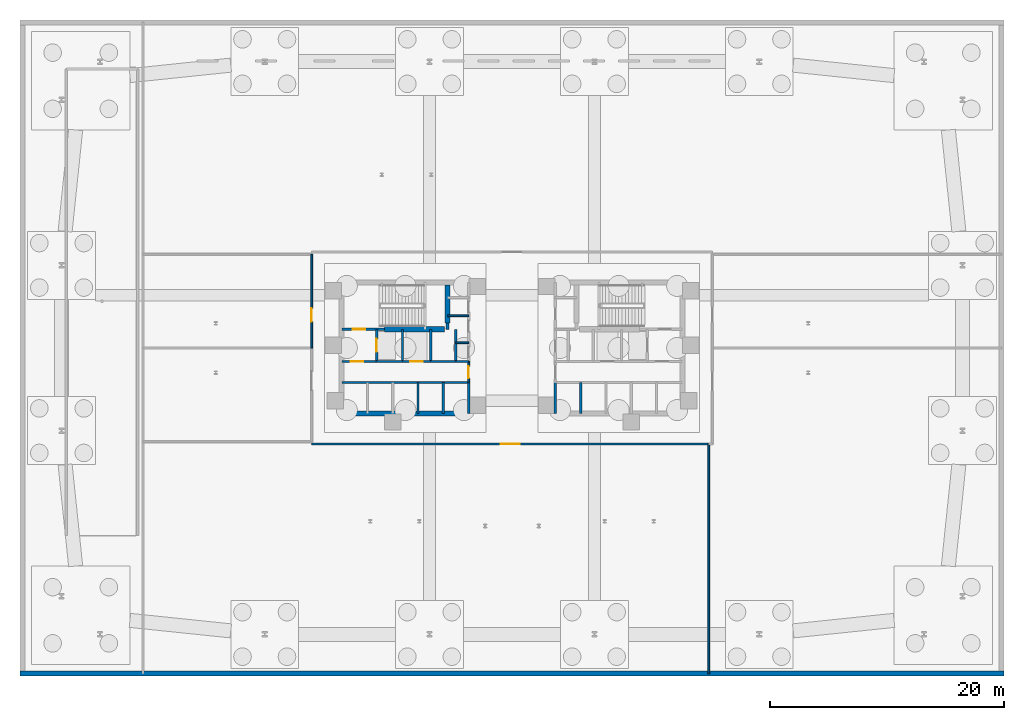
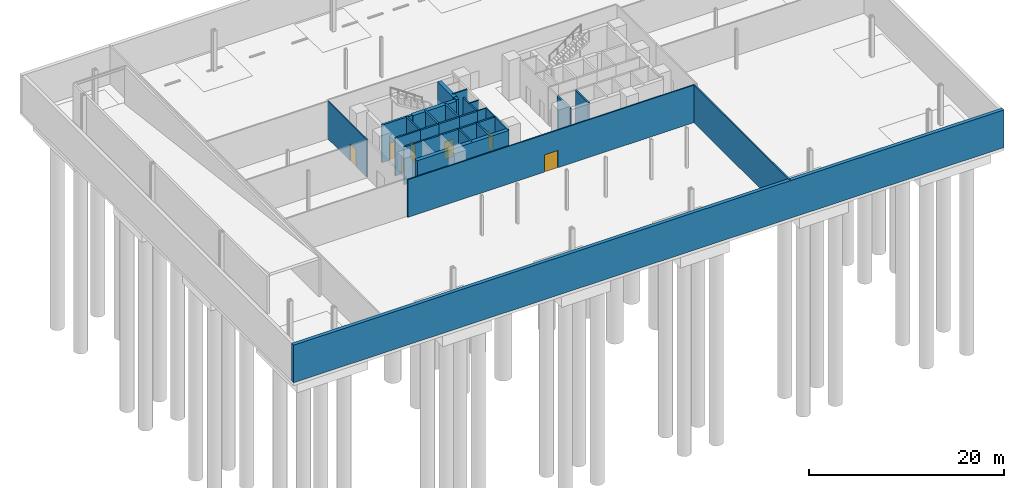
# One storey, part 11 of 16: 27 walls, 7 doors, 7 openings.
"""IFC4 building model written with IfcOpenShell, lengths in metres."""

from ifc_helpers import new_model, si_unit, direction, frame, frame_2d, origin, place, context, subcontext, project, spatial, rectangle, extrude, material, layer, layer_set, type_object, element, fill, save


model = new_model("IFC4")

# Units and contexts
model_context = context("Model", 3, precision=1e-05, world=origin(), true_north=direction((0.0, 1.0)))
body_context = subcontext(model_context, "Body", "Model", "MODEL_VIEW")
ifc_project = project(units=[si_unit("LENGTHUNIT", "METRE"), si_unit("AREAUNIT", "SQUARE_METRE"), si_unit("VOLUMEUNIT", "CUBIC_METRE"), si_unit("PLANEANGLEUNIT", "RADIAN"), si_unit("MASSUNIT", "GRAM", prefix="KILO")], contexts=[model_context])

# Site, building, storey
site_placement = place(None, origin())
site = spatial("IfcSite", under=ifc_project, at=site_placement, CompositionType="ELEMENT")
building_placement = place(site_placement, origin())
building = spatial("IfcBuilding", under=site, at=building_placement, Name="Menara Jurai Vektor", CompositionType="ELEMENT")
storey_placement = place(building_placement, frame((0.0, 0.0, -5.0)))
storey = spatial("IfcBuildingStorey", under=building, at=storey_placement, Name="B1", CompositionType="ELEMENT", Elevation=-5.0)

# Wall, opening, door
ifc_material_1 = material(Name="Concrete C40/50", Category="concrete")
ifc_layer_1 = layer(ifc_material_1, 0.25)
ifc_layer_set_1 = layer_set([ifc_layer_1], Name="Concrete C40/50")
wall_type_1 = type_object("IfcWallType", Name="INT-WALL-CORE-250", PredefinedType="STANDARD", material=ifc_layer_set_1)
wall_1_placement = place(storey_placement, frame((-14.5, 1.60009765625, 0.0), z_axis=(0.0, 0.0, 1.0), x_axis=(1.0, 0.0, 0.0)))
wall_1 = element("IfcWall", 1, at=wall_1_placement, inside=storey, type_object=wall_type_1, Name="Interior Wall IW-250 B1", PredefinedType="STANDARD", context=body_context, shape_type="SweptSolid", body=[
    extrude(rectangle(XDim=3.60009765625, YDim=0.25, at=frame_2d((1.800048828125, 0.0))), origin(), (0.0, 0.0, 1.0), 4.699951171875),
])
opening_1_placement = place(wall_1_placement, frame((0.919921875, 0.0, 0.0)))
opening_1 = element("IfcOpeningElement", 2, at=opening_1_placement, cuts=wall_1, Name="Opening D-B1-ST1", PredefinedType="OPENING", context=body_context, shape_type="SweptSolid", body=[
    extrude(rectangle(XDim=1.050048828125, YDim=2.14990234375, at=frame_2d((0.52490234375, 1.074951171875))), frame((0.0, 0.135009765625, 0.0), z_axis=(0.0, -1.0, 0.0), x_axis=(1.0, 0.0, 0.0)), (0.0, 0.0, 1.0), 0.27001953125),
])
ifc_material_2 = material(Name="Fire-Rated Steel Door", Category="steel")
door_type_1 = type_object("IfcDoorType", Name="DR-STAIR-1050", OperationType="NOTDEFINED", PredefinedType="DOOR", material=ifc_material_2)
door_1_placement = place(opening_1_placement, origin())
door_1 = element("IfcDoor", 3, at=door_1_placement, inside=storey, type_object=door_type_1, Name="Exit Stair ST1 Door B1", OperationType="SINGLE_SWING_RIGHT", OverallHeight=2.14990234375, OverallWidth=1.050048828125, PredefinedType="DOOR", context=body_context, shape_type="SweptSolid", body=[
    extrude(rectangle(XDim=1.050048828125, YDim=2.14990234375, at=frame_2d((0.52490234375, 1.074951171875))), frame((0.0, 0.02490234375, 0.0), z_axis=(0.0, -1.0, 0.0), x_axis=(1.0, 0.0, 0.0)), (0.0, 0.0, 1.0), 0.050048828125),
])
fill(opening_1, door_1)

# Wall
wall_2_placement = place(storey_placement, frame((-5.5, 1.60009765625, 0.0), z_axis=(0.0, 0.0, 1.0), x_axis=(0.0, 1.0, 0.0)))
element("IfcWall", 4, at=wall_2_placement, inside=storey, type_object=wall_type_1, Name="Interior Wall IW-250 B1", PredefinedType="STANDARD", context=body_context, shape_type="SweptSolid", body=[
    extrude(rectangle(XDim=0.5498046875, YDim=0.25, at=frame_2d((0.27490234375, 0.0))), origin(), (0.0, 0.0, 1.0), 4.699951171875),
])

# Wall, opening, door
wall_3_placement = place(storey_placement, frame((-11.550048828125, -1.14990234375, 0.0), z_axis=(0.0, 0.0, 1.0), x_axis=(0.0, 1.0, 0.0)))
wall_3 = element("IfcWall", 5, at=wall_3_placement, inside=storey, type_object=wall_type_1, Name="Interior Wall IW-250 B1", PredefinedType="STANDARD", context=body_context, shape_type="SweptSolid", body=[
    extrude(rectangle(XDim=2.75, YDim=0.199951171875, at=frame_2d((1.375, 0.0))), origin(), (0.0, 0.0, 1.0), 4.699951171875),
])
opening_2_placement = place(wall_3_placement, frame((0.824951171875, 0.0, 0.0)))
opening_2 = element("IfcOpeningElement", 6, at=opening_2_placement, cuts=wall_3, Name="Opening LD-B1-FL1", PredefinedType="OPENING", context=body_context, shape_type="SweptSolid", body=[
    extrude(rectangle(XDim=1.10009765625, YDim=2.14990234375, at=frame_2d((0.550048828125, 1.074951171875))), frame((0.0, 0.10986328125, 0.0), z_axis=(0.0, -1.0, 0.0), x_axis=(1.0, 0.0, 0.0)), (0.0, 0.0, 1.0), 0.219970703125),
])
ifc_material_3 = material(Name="Stainless Steel Sliding Lift Landing Door", Category="steel")
door_type_2 = type_object("IfcDoorType", Name="DR-LIFT-FIRE-1100", OperationType="NOTDEFINED", PredefinedType="DOOR", material=ifc_material_3)
door_2_placement = place(opening_2_placement, origin())
door_2 = element("IfcDoor", 7, at=door_2_placement, inside=storey, type_object=door_type_2, Name="Lift Landing Door FL1 B1", OperationType="SLIDING_TO_RIGHT", OverallHeight=2.14990234375, OverallWidth=1.10009765625, PredefinedType="DOOR", context=body_context, shape_type="SweptSolid", body=[
    extrude(rectangle(XDim=1.10009765625, YDim=2.14990234375, at=frame_2d((0.550048828125, 1.074951171875))), frame((0.0, 0.02490234375, 0.0), z_axis=(0.0, -1.0, 0.0), x_axis=(1.0, 0.0, 0.0)), (0.0, 0.0, 1.0), 0.050048828125),
])
fill(opening_2, door_2)

# Wall
wall_4_placement = place(storey_placement, frame((-9.35009765625, -1.14990234375, 0.0), z_axis=(0.0, 0.0, 1.0), x_axis=(0.0, 1.0, 0.0)))
element("IfcWall", 8, at=wall_4_placement, inside=storey, type_object=wall_type_1, Name="Interior Wall IW-250 B1", PredefinedType="STANDARD", context=body_context, shape_type="SweptSolid", body=[
    extrude(rectangle(XDim=2.75, YDim=0.199951171875, at=frame_2d((1.375, 0.0))), origin(), (0.0, 0.0, 1.0), 4.699951171875),
])

# Wall, opening, door
wall_5_placement = place(storey_placement, frame((-14.5, -1.14990234375, 0.0), z_axis=(0.0, 0.0, 1.0), x_axis=(1.0, 0.0, 0.0)))
wall_5 = element("IfcWall", 9, at=wall_5_placement, inside=storey, type_object=wall_type_1, Name="Interior Wall IW-250 B1", PredefinedType="STANDARD", context=body_context, shape_type="SweptSolid", body=[
    extrude(rectangle(XDim=2.949951171875, YDim=0.199951171875, at=frame_2d((1.47509765625, 0.0))), origin(), (0.0, 0.0, 1.0), 4.699951171875),
])
opening_3_placement = place(wall_5_placement, frame((0.75, 0.0, 0.0)))
opening_3 = element("IfcOpeningElement", 10, at=opening_3_placement, cuts=wall_5, Name="Opening D-B1-FFW", PredefinedType="OPENING", context=body_context, shape_type="SweptSolid", body=[
    extrude(rectangle(XDim=1.050048828125, YDim=2.179931640625, at=frame_2d((0.52490234375, 1.08984375))), frame((0.0, 0.10986328125, 0.0), z_axis=(0.0, -1.0, 0.0), x_axis=(1.0, 0.0, 0.0)), (0.0, 0.0, 1.0), 0.219970703125),
])
ifc_material_4 = material(Name="Fire-Rated Timber Door", Category="wood")
door_type_3 = type_object("IfcDoorType", Name="DR-LOBBY-1050", OperationType="NOTDEFINED", PredefinedType="DOOR", material=ifc_material_4)
door_3_placement = place(opening_3_placement, origin())
door_3 = element("IfcDoor", 11, at=door_3_placement, inside=storey, type_object=door_type_3, Name="Fire Lift Lobby Door W B1", OperationType="SINGLE_SWING_RIGHT", OverallHeight=2.179931640625, OverallWidth=1.050048828125, PredefinedType="DOOR", context=body_context, shape_type="SweptSolid", body=[
    extrude(rectangle(XDim=1.050048828125, YDim=2.179931640625, at=frame_2d((0.52490234375, 1.08984375))), frame((0.0, 0.02490234375, 0.0), z_axis=(0.0, -1.0, 0.0), x_axis=(1.0, 0.0, 0.0)), (0.0, 0.0, 1.0), 0.050048828125),
])
fill(opening_3, door_3)

# Wall
wall_6_placement = place(storey_placement, frame((-11.550048828125, -1.14990234375, 0.0), z_axis=(0.0, 0.0, 1.0), x_axis=(1.0, 0.0, 0.0)))
element("IfcWall", 12, at=wall_6_placement, inside=storey, type_object=wall_type_1, Name="Interior Wall IW-250 B1", PredefinedType="STANDARD", context=body_context, shape_type="SweptSolid", body=[
    extrude(rectangle(XDim=2.199951171875, YDim=0.199951171875, at=frame_2d((1.10009765625, 0.0))), origin(), (0.0, 0.0, 1.0), 4.699951171875),
])

# Wall, opening, door
ifc_material_5 = material(Name="Gypsum Fireboard Partition", Category="gypsum")
ifc_layer_2 = layer(ifc_material_5, 0.14990234375)
ifc_layer_set_2 = layer_set([ifc_layer_2], Name="Gypsum Fireboard Partition")
wall_type_2 = type_object("IfcWallType", Name="INT-WALL-CORR-150", PredefinedType="PARTITIONING", material=ifc_layer_set_2)
wall_7_placement = place(storey_placement, frame((-3.699951171875, -2.949951171875, 0.0), z_axis=(0.0, 0.0, 1.0), x_axis=(0.0, 1.0, 0.0)))
wall_7 = element("IfcWall", 13, at=wall_7_placement, inside=storey, type_object=wall_type_2, Name="Interior Wall IW-150 B1", PredefinedType="PARTITIONING", context=body_context, shape_type="SweptSolid", body=[
    extrude(rectangle(XDim=1.800048828125, YDim=0.14990234375, at=frame_2d((0.89990234375, 0.0))), origin(), (0.0, 0.0, 1.0), 4.699951171875),
])
opening_4_placement = place(wall_7_placement, frame((0.35009765625, 0.0, 0.0)))
opening_4 = element("IfcOpeningElement", 14, at=opening_4_placement, cuts=wall_7, Name="Opening D-B1-LLW", PredefinedType="OPENING", context=body_context, shape_type="SweptSolid", body=[
    extrude(rectangle(XDim=1.050048828125, YDim=2.179931640625, at=frame_2d((0.52490234375, 1.08984375))), frame((0.0, 0.0849609375, 0.0), z_axis=(0.0, -1.0, 0.0), x_axis=(1.0, 0.0, 0.0)), (0.0, 0.0, 1.0), 0.169921875),
])
door_4_placement = place(opening_4_placement, origin())
door_4 = element("IfcDoor", 15, at=door_4_placement, inside=storey, type_object=door_type_3, Name="Lift Lobby Corridor Door W B1", OperationType="SINGLE_SWING_LEFT", OverallHeight=2.179931640625, OverallWidth=1.050048828125, PredefinedType="DOOR", context=body_context, shape_type="SweptSolid", body=[
    extrude(rectangle(XDim=1.050048828125, YDim=2.179931640625, at=frame_2d((0.52490234375, 1.08984375))), frame((0.0, 0.02490234375, 0.0), z_axis=(0.0, -1.0, 0.0), x_axis=(1.0, 0.0, 0.0)), (0.0, 0.0, 1.0), 0.050048828125),
])
fill(opening_4, door_4)

# Walls
for number, where, z_axis, x_axis, name in (
    (16, (-4.7900390625, -1.14990234375, 0.0), (0.0, 0.0, 1.0), (1.0, 0.0, 0.0), "Interior Wall IW-150 B1"),
    (17, (-4.7900390625, 0.449951171875, 0.0), (0.0, 0.0, 1.0), (1.0, 0.0, 0.0), "Interior Wall IW-150 B1"),
):
    element("IfcWall", number, at=place(storey_placement, frame(where, z_axis=z_axis, x_axis=x_axis)), inside=storey, type_object=wall_type_2, Name=name, PredefinedType="PARTITIONING", context=body_context, shape_type="SweptSolid", body=[
        extrude(rectangle(XDim=1.090087890625, YDim=0.14990234375, at=frame_2d((0.544921875, 0.0))), origin(), (0.0, 0.0, 1.0), 4.699951171875),
    ])
wall_8_placement = place(storey_placement, frame((-5.5, 2.75, 0.0), z_axis=(0.0, 0.0, 1.0), x_axis=(1.0, 0.0, 0.0)))
element("IfcWall", 18, at=wall_8_placement, inside=storey, type_object=wall_type_2, Name="Interior Wall IW-150 B1", PredefinedType="PARTITIONING", context=body_context, shape_type="SweptSolid", body=[
    extrude(rectangle(XDim=1.800048828125, YDim=0.14990234375, at=frame_2d((0.89990234375, 0.0))), origin(), (0.0, 0.0, 1.0), 4.699951171875),
])

# Wall, opening, door
wall_9_placement = place(storey_placement, frame((-17.10009765625, -8.199951171875, 0.0), z_axis=(0.0, 0.0, 1.0), x_axis=(1.0, 0.0, 0.0)))
wall_9 = element("IfcWall", 19, at=wall_9_placement, inside=storey, type_object=wall_type_2, Name="Interior Wall IW-150 B1", PredefinedType="PARTITIONING", context=body_context, shape_type="SweptSolid", body=[
    extrude(rectangle(XDim=33.900146484375, YDim=0.14990234375, at=frame_2d((16.9501953125, 0.0))), origin(), (0.0, 0.0, 1.0), 4.699951171875),
])
opening_5_placement = place(wall_9_placement, frame((16.14990234375, 0.0, 0.0)))
opening_5 = element("IfcOpeningElement", 20, at=opening_5_placement, cuts=wall_9, Name="Opening DB1-07", PredefinedType="OPENING", context=body_context, shape_type="SweptSolid", body=[
    extrude(rectangle(XDim=1.60009765625, YDim=2.14990234375, at=frame_2d((0.800048828125, 1.074951171875))), frame((0.0, 0.0849609375, 0.0), z_axis=(0.0, -1.0, 0.0), x_axis=(1.0, 0.0, 0.0)), (0.0, 0.0, 1.0), 0.169921875),
])
ifc_material_6 = material(Name="Fire-Rated Double Steel Door", Category="steel")
door_type_4 = type_object("IfcDoorType", Name="DR-PLANT-DBL-1600", OperationType="NOTDEFINED", PredefinedType="DOOR", material=ifc_material_6)
door_5_placement = place(opening_5_placement, origin())
door_5 = element("IfcDoor", 21, at=door_5_placement, inside=storey, type_object=door_type_4, Name="Interior Door DB1-07", OperationType="DOUBLE_DOOR_SINGLE_SWING", OverallHeight=2.14990234375, OverallWidth=1.60009765625, PredefinedType="DOOR", context=body_context, shape_type="SweptSolid", body=[
    extrude(rectangle(XDim=1.60009765625, YDim=2.14990234375, at=frame_2d((0.800048828125, 1.074951171875))), frame((0.0, 0.02490234375, 0.0), z_axis=(0.0, -1.0, 0.0), x_axis=(1.0, 0.0, 0.0)), (0.0, 0.0, 1.0), 0.050048828125),
])
fill(opening_5, door_5)

wall_10_placement = place(storey_placement, frame((-17.10009765625, 0.0, 0.0), z_axis=(0.0, 0.0, 1.0), x_axis=(0.0, 1.0, 0.0)))
wall_10 = element("IfcWall", 22, at=wall_10_placement, inside=storey, type_object=wall_type_2, Name="Interior Wall IW-150 B1", PredefinedType="PARTITIONING", context=body_context, shape_type="SweptSolid", body=[
    extrude(rectangle(XDim=8.0, YDim=0.14990234375, at=frame_2d((4.0, 0.0))), origin(), (0.0, 0.0, 1.0), 4.699951171875),
])
opening_6_placement = place(wall_10_placement, frame((2.22509765625, 0.0, 0.0)))
opening_6 = element("IfcOpeningElement", 23, at=opening_6_placement, cuts=wall_10, Name="Opening DB1-11", PredefinedType="OPENING", context=body_context, shape_type="SweptSolid", body=[
    extrude(rectangle(XDim=1.14990234375, YDim=2.14990234375, at=frame_2d((0.574951171875, 1.074951171875))), frame((0.0, 0.0849609375, 0.0), z_axis=(0.0, -1.0, 0.0), x_axis=(1.0, 0.0, 0.0)), (0.0, 0.0, 1.0), 0.169921875),
])
ifc_material_7 = material(Name="Fire-Rated Steel Plant Door", Category="steel")
door_type_5 = type_object("IfcDoorType", Name="DR-PLANT-1150", OperationType="NOTDEFINED", PredefinedType="DOOR", material=ifc_material_7)
door_6_placement = place(opening_6_placement, origin())
door_6 = element("IfcDoor", 24, at=door_6_placement, inside=storey, type_object=door_type_5, Name="Interior Door DB1-11", OperationType="SINGLE_SWING_LEFT", OverallHeight=2.14990234375, OverallWidth=1.14990234375, PredefinedType="DOOR", context=body_context, shape_type="SweptSolid", body=[
    extrude(rectangle(XDim=1.14990234375, YDim=2.14990234375, at=frame_2d((0.574951171875, 1.074951171875))), frame((0.0, 0.02490234375, 0.0), z_axis=(0.0, -1.0, 0.0), x_axis=(1.0, 0.0, 0.0)), (0.0, 0.0, 1.0), 0.050048828125),
])
fill(opening_6, door_6)

# Walls
wall_11_placement = place(storey_placement, frame((16.800048828125, -27.800048828125, 0.0), z_axis=(0.0, 0.0, 1.0), x_axis=(0.0, 1.0, 0.0)))
element("IfcWall", 25, at=wall_11_placement, inside=storey, type_object=wall_type_2, Name="Interior Wall IW-150 B1", PredefinedType="PARTITIONING", context=body_context, shape_type="SweptSolid", body=[
    extrude(rectangle(XDim=19.60009765625, YDim=0.14990234375, at=frame_2d((9.800048828125, 0.0))), origin(), (0.0, 0.0, 1.0), 4.699951171875),
])
ifc_layer_3 = layer(ifc_material_1, 0.199951171875)
ifc_layer_set_3 = layer_set([ifc_layer_3], Name="Concrete C40/50")
wall_type_3 = type_object("IfcWallType", Name="INT-WALL-SHAFT-200", PredefinedType="STANDARD", material=ifc_layer_set_3)
wall_12_placement = place(storey_placement, frame((-3.699951171875, -5.60009765625, 0.0), z_axis=(0.0, 0.0, 1.0), x_axis=(0.0, 1.0, 0.0)))
element("IfcWall", 26, at=wall_12_placement, inside=storey, type_object=wall_type_3, Name="Interior Wall IW-200 B1", PredefinedType="STANDARD", context=body_context, shape_type="SweptSolid", body=[
    extrude(rectangle(XDim=2.650146484375, YDim=0.199951171875, at=frame_2d((1.3251953125, 0.0))), origin(), (0.0, 0.0, 1.0), 4.699951171875),
])
wall_13_placement = place(storey_placement, frame((-6.949951171875, -1.14990234375, 0.0), z_axis=(0.0, 0.0, 1.0), x_axis=(0.0, 1.0, 0.0)))
element("IfcWall", 27, at=wall_13_placement, inside=storey, type_object=wall_type_3, Name="Interior Wall IW-200 B1", PredefinedType="STANDARD", context=body_context, shape_type="SweptSolid", body=[
    extrude(rectangle(XDim=2.75, YDim=0.199951171875, at=frame_2d((1.375, 0.0))), origin(), (0.0, 0.0, 1.0), 4.699951171875),
])

# Wall, opening, door
wall_14_placement = place(storey_placement, frame((-9.35009765625, -1.14990234375, 0.0), z_axis=(0.0, 0.0, 1.0), x_axis=(1.0, 0.0, 0.0)))
wall_14 = element("IfcWall", 28, at=wall_14_placement, inside=storey, type_object=wall_type_3, Name="Interior Wall IW-200 B1", PredefinedType="STANDARD", context=body_context, shape_type="SweptSolid", body=[
    extrude(rectangle(XDim=2.400146484375, YDim=0.199951171875, at=frame_2d((1.2001953125, 0.0))), origin(), (0.0, 0.0, 1.0), 4.699951171875),
])
opening_7_placement = place(wall_14_placement, frame((0.64990234375, 0.0, 0.0)))
opening_7 = element("IfcOpeningElement", 29, at=opening_7_placement, cuts=wall_14, Name="Opening LD-B1-SVL1", PredefinedType="OPENING", context=body_context, shape_type="SweptSolid", body=[
    extrude(rectangle(XDim=1.10009765625, YDim=2.14990234375, at=frame_2d((0.550048828125, 1.074951171875))), frame((0.0, 0.10986328125, 0.0), z_axis=(0.0, -1.0, 0.0), x_axis=(1.0, 0.0, 0.0)), (0.0, 0.0, 1.0), 0.219970703125),
])
ifc_material_8 = material(Name="Anodised Stainless Sliding Lift Landing Door", Category="steel")
door_type_6 = type_object("IfcDoorType", Name="DR-LIFT-PASS-1100", OperationType="NOTDEFINED", PredefinedType="DOOR", material=ifc_material_8)
door_7_placement = place(opening_7_placement, origin())
door_7 = element("IfcDoor", 30, at=door_7_placement, inside=storey, type_object=door_type_6, Name="Lift Landing Door SVL1 B1", OperationType="SLIDING_TO_RIGHT", OverallHeight=2.14990234375, OverallWidth=1.10009765625, PredefinedType="DOOR", context=body_context, shape_type="SweptSolid", body=[
    extrude(rectangle(XDim=1.10009765625, YDim=2.14990234375, at=frame_2d((0.550048828125, 1.074951171875))), frame((0.0, 0.02490234375, 0.0), z_axis=(0.0, -1.0, 0.0), x_axis=(1.0, 0.0, 0.0)), (0.0, 0.0, 1.0), 0.050048828125),
])
fill(opening_7, door_7)

# Walls
wall_15_placement = place(storey_placement, frame((-4.7900390625, -1.14990234375, 0.0), z_axis=(0.0, 0.0, 1.0), x_axis=(0.0, 1.0, 0.0)))
element("IfcWall", 31, at=wall_15_placement, inside=storey, type_object=wall_type_3, Name="Interior Wall IW-200 B1", PredefinedType="STANDARD", context=body_context, shape_type="SweptSolid", body=[
    extrude(rectangle(XDim=2.75, YDim=0.199951171875, at=frame_2d((1.375, 0.0))), origin(), (0.0, 0.0, 1.0), 4.699951171875),
])
wall_16_placement = place(storey_placement, frame((-6.949951171875, -1.14990234375, 0.0), z_axis=(0.0, 0.0, 1.0), x_axis=(1.0, 0.0, 0.0)))
element("IfcWall", 32, at=wall_16_placement, inside=storey, type_object=wall_type_3, Name="Interior Wall IW-200 B1", PredefinedType="STANDARD", context=body_context, shape_type="SweptSolid", body=[
    extrude(rectangle(XDim=2.159912109375, YDim=0.199951171875, at=frame_2d((1.080078125, 0.0))), origin(), (0.0, 0.0, 1.0), 4.699951171875),
])
wall_17_placement = place(storey_placement, frame((-14.5, -2.949951171875, 0.0), z_axis=(0.0, 0.0, 1.0), x_axis=(1.0, 0.0, 0.0)))
element("IfcWall", 33, at=wall_17_placement, inside=storey, type_object=wall_type_3, Name="Interior Wall IW-200 B1", PredefinedType="STANDARD", context=body_context, shape_type="SweptSolid", body=[
    extrude(rectangle(XDim=10.800048828125, YDim=0.199951171875, at=frame_2d((5.39990234375, 0.0))), origin(), (0.0, 0.0, 1.0), 4.699951171875),
])
wall_18_placement = place(storey_placement, frame((-5.860107421875, -5.60009765625, 0.0), z_axis=(0.0, 0.0, 1.0), x_axis=(0.0, 1.0, 0.0)))
element("IfcWall", 34, at=wall_18_placement, inside=storey, type_object=wall_type_3, Name="Interior Wall IW-200 B1", PredefinedType="STANDARD", context=body_context, shape_type="SweptSolid", body=[
    extrude(rectangle(XDim=2.650146484375, YDim=0.199951171875, at=frame_2d((1.3251953125, 0.0))), origin(), (0.0, 0.0, 1.0), 4.699951171875),
])
wall_19_placement = place(storey_placement, frame((-8.02001953125, -5.60009765625, 0.0), z_axis=(0.0, 0.0, 1.0), x_axis=(0.0, 1.0, 0.0)))
element("IfcWall", 35, at=wall_19_placement, inside=storey, type_object=wall_type_3, Name="Interior Wall IW-200 B1", PredefinedType="STANDARD", context=body_context, shape_type="SweptSolid", body=[
    extrude(rectangle(XDim=2.650146484375, YDim=0.179931640625, at=frame_2d((1.3251953125, 0.0))), origin(), (0.0, 0.0, 1.0), 4.699951171875),
])
for number, where, z_axis, x_axis, name in (
    (36, (3.699951171875, -5.60009765625, 0.0), (0.0, 0.0, 1.0), (0.0, 1.0, 0.0), "Interior Wall IW-200 B1"),
    (37, (5.860107421875, -5.60009765625, 0.0), (0.0, 0.0, 1.0), (0.0, 1.0, 0.0), "Interior Wall IW-200 B1"),
):
    element("IfcWall", number, at=place(storey_placement, frame(where, z_axis=z_axis, x_axis=x_axis)), inside=storey, type_object=wall_type_3, Name=name, PredefinedType="STANDARD", context=body_context, shape_type="SweptSolid", body=[
        extrude(rectangle(XDim=2.650146484375, YDim=0.199951171875, at=frame_2d((1.3251953125, 0.0))), origin(), (0.0, 0.0, 1.0), 4.699951171875),
    ])
ifc_material_9 = material(Name="Concrete C60/75", Category="concrete")
ifc_layer_4 = layer(ifc_material_9, 0.449951171875)
ifc_layer_set_4 = layer_set([ifc_layer_4], Name="Concrete C60/75")
wall_type_4 = type_object("IfcWallType", Name="STR-WALL-CORE450", PredefinedType="SHEAR", material=ifc_layer_set_4)
wall_20_placement = place(storey_placement, frame((-14.56005859375, -5.60009765625, 0.0), z_axis=(0.0, 0.0, 1.0), x_axis=(1.0, 0.0, 0.0)))
element("IfcWall", 38, at=wall_20_placement, inside=storey, type_object=wall_type_4, Name="Core Shear Wall CW-W-S B1", PredefinedType="SHEAR", context=body_context, shape_type="SweptSolid", body=[
    extrude(rectangle(XDim=10.860107421875, YDim=0.449951171875, at=frame_2d((5.43017578125, 0.0))), origin(), (0.0, 0.0, 1.0), 4.699951171875),
])
wall_21_placement = place(storey_placement, frame((-5.5, 2.14990234375, 0.0), z_axis=(0.0, 0.0, 1.0), x_axis=(0.0, 1.0, 0.0)))
element("IfcWall", 39, at=wall_21_placement, inside=storey, type_object=wall_type_4, Name="Core Shear Wall CW-W-ST B1", PredefinedType="SHEAR", context=body_context, shape_type="SweptSolid", body=[
    extrude(rectangle(XDim=3.22509765625, YDim=0.449951171875, at=frame_2d((1.612548828125, 0.0))), origin(), (0.0, 0.0, 1.0), 4.699951171875),
])
wall_22_placement = place(storey_placement, frame((-10.89990234375, 1.60009765625, 0.0), z_axis=(0.0, 0.0, 1.0), x_axis=(1.0, 0.0, 0.0)))
element("IfcWall", 40, at=wall_22_placement, inside=storey, type_object=wall_type_4, Name="Core Shear Wall CW-W-STS B1", PredefinedType="SHEAR", context=body_context, shape_type="SweptSolid", body=[
    extrude(rectangle(XDim=5.14990234375, YDim=0.449951171875, at=frame_2d((2.574951171875, 0.0))), origin(), (0.0, 0.0, 1.0), 4.699951171875),
])
ifc_material_10 = material(Name="Concrete C50/60", Category="concrete")
ifc_layer_5 = layer(ifc_material_10, 0.419921875)
ifc_layer_set_5 = layer_set([ifc_layer_5], Name="Concrete C50/60")
wall_type_5 = type_object("IfcWallType", Name="STR-WALL-RET420", PredefinedType="SHEAR", material=ifc_layer_set_5)
wall_23_placement = place(storey_placement, frame((-42.0, -27.7900390625, 0.0), z_axis=(0.0, 0.0, 1.0), x_axis=(1.0, 0.0, 0.0)))
element("IfcWall", 41, at=wall_23_placement, inside=storey, type_object=wall_type_5, Name="Basement Retaining Wall RW-S", PredefinedType="SHEAR", context=body_context, shape_type="SweptSolid", body=[
    extrude(rectangle(XDim=84.0, YDim=0.419921875, at=frame_2d((42.0, 0.0))), origin(), (0.0, 0.0, 1.0), 4.699951171875),
])

save(model, "model.ifc")
